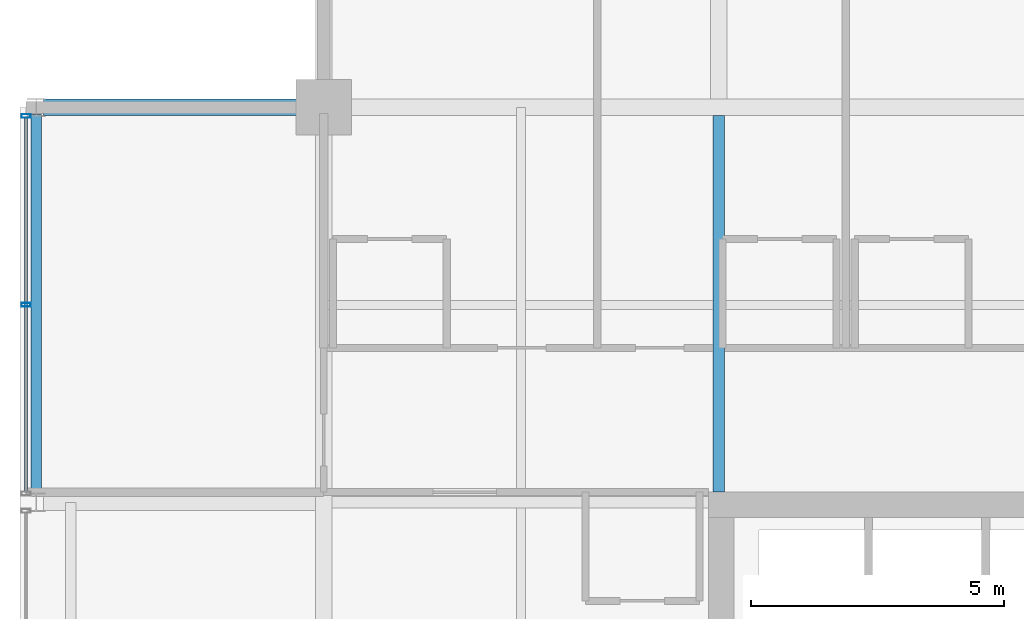
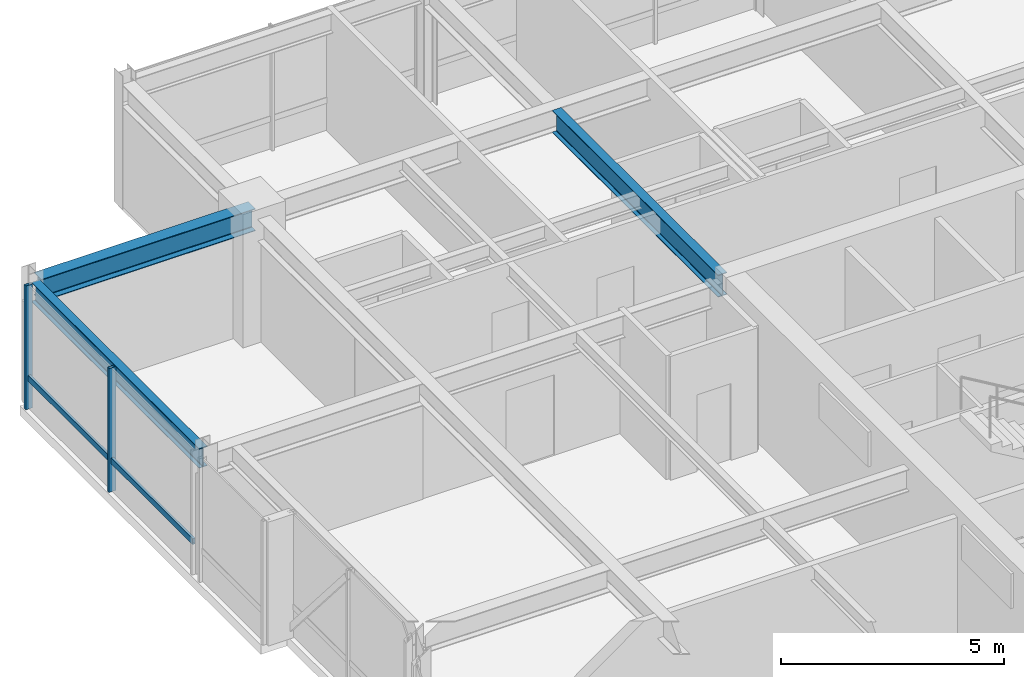
# One storey, part 21 of 34: 3 beams, 3 members, 1 element without a shape of its own.
"""IFC4 building model written with IfcOpenShell, lengths in metres."""

import ifcopenshell
import ifcopenshell.guid

model = None  # the IFC model being written
_history = None  # IfcOwnerHistory: only IFC2X3 demands one
_inside = {}  # id of a spatial element -> (the spatial element, [elements in it])
_under = {}  # id of a project, library or spatial element -> (it, [spatial elements below it])
_declared = {}  # id of a project -> (the project, [libraries it declares])
_typed = {}  # id of a type object -> (the type object, [elements of that type])
_made_of = {}  # id of a material, layer set ... -> (it, [elements and type objects made of it])


def new_model(schema):
    """Start an empty IFC model of exactly this schema.

    Asked for "IFC4X3", IfcOpenShell would pick the latest addendum, in which some entities
    have other attributes; the version numbers below select the first issue.
    IFC2X3 requires an IfcOwnerHistory on every rooted entity: one is made here for all.
    """
    global model, _history
    if schema == "IFC4X3":
        model = ifcopenshell.file(schema_version=(4, 3, 0, 0))
    else:
        model = ifcopenshell.file(schema=schema)
    _inside.clear()
    _under.clear()
    _declared.clear()
    _typed.clear()
    _made_of.clear()
    _history = None
    if model.schema == "IFC2X3":
        org = make("IfcOrganization", Name="unknown")
        user = make(
            "IfcPersonAndOrganization",
            ThePerson=make("IfcPerson", FamilyName="unknown"),
            TheOrganization=org,
        )
        app = make(
            "IfcApplication",
            ApplicationDeveloper=org,
            Version="unknown",
            ApplicationFullName="unknown",
            ApplicationIdentifier="unknown",
        )
        _history = make(
            "IfcOwnerHistory",
            OwningUser=user,
            OwningApplication=app,
            ChangeAction="ADDED",
            CreationDate=0,
        )
    return model


def make(cls, **values):
    """One entity of the class cls with the attributes given. An attribute that is None is left unset."""
    return model.create_entity(
        cls, **{name: value for name, value in values.items() if value is not None}
    )


def rooted(cls, **values):
    """An entity with a GlobalId (a new one), such as an element, a storey or a relation."""
    return make(cls, GlobalId=ifcopenshell.guid.new(), OwnerHistory=_history, **values)


def si_unit(unit_type, name, prefix=None):
    """IfcSIUnit, for example si_unit("LENGTHUNIT", "METRE", prefix="MILLI")."""
    return make("IfcSIUnit", UnitType=unit_type, Prefix=prefix, Name=name)


def assignment(units):
    """IfcUnitAssignment: the units of a project."""
    return None if units is None else make("IfcUnitAssignment", Units=units)


def point(xyz):
    """IfcCartesianPoint."""
    return None if xyz is None else make("IfcCartesianPoint", Coordinates=xyz)


def direction(xyz):
    """IfcDirection."""
    return None if xyz is None else make("IfcDirection", DirectionRatios=xyz)


def frame(location, z_axis=None, x_axis=None):
    """IfcAxis2Placement3D, a coordinate frame: its origin and axes. An axis left out is left unset."""
    return make(
        "IfcAxis2Placement3D",
        Location=point(location),
        Axis=direction(z_axis),
        RefDirection=direction(x_axis),
    )


def frame_2d(location, x_axis=None):
    """IfcAxis2Placement2D, a coordinate frame in the plane: its origin and x axis."""
    return make(
        "IfcAxis2Placement2D", Location=point(location), RefDirection=direction(x_axis)
    )


def origin():
    """The frame at (0, 0, 0) with its axes left unset."""
    return frame((0.0, 0.0, 0.0))


def origin_2d():
    """The frame at (0, 0) in the plane with its x axis left unset."""
    return frame_2d((0.0, 0.0))


def place(relative_to, where):
    """IfcLocalPlacement: puts the frame where relative to a parent placement (None: the world)."""
    return make(
        "IfcLocalPlacement", PlacementRelTo=relative_to, RelativePlacement=where
    )


def context(
    kind, dimensions, precision=None, world=None, true_north=None, identifier=None
):
    """IfcGeometricRepresentationContext, for example the 3D "Model" context."""
    return make(
        "IfcGeometricRepresentationContext",
        ContextIdentifier=identifier,
        ContextType=kind,
        CoordinateSpaceDimension=dimensions,
        Precision=precision,
        WorldCoordinateSystem=world,
        TrueNorth=true_north,
    )


def subcontext(parent, identifier, kind, view, scale=None):
    """IfcGeometricRepresentationSubContext, for example "Body" below "Model"."""
    return make(
        "IfcGeometricRepresentationSubContext",
        ContextIdentifier=identifier,
        ContextType=kind,
        ParentContext=parent,
        TargetScale=scale,
        TargetView=view,
    )


def project(units=None, contexts=None):
    """IfcProject with its units and contexts."""
    return rooted(
        "IfcProject",
        Name="project",
        RepresentationContexts=contexts,
        UnitsInContext=assignment(units),
    )


def spatial(cls, under=None, at=None, **own):
    """A site, building, storey or space (cls), placed at a placement, below another one or the project."""
    s = rooted(cls, ObjectPlacement=at, **own)
    if under is not None:
        _under.setdefault(under.id(), (under, []))[1].append(s)
    return s


def profile(cls, at=None, kind="AREA", **sizes):
    """A parametric profile (cls). Its sizes go by their IFC names, for example OverallWidth=200.0."""
    return make(cls, ProfileType=kind, Position=at, **sizes)


def hollow_rectangle(**sizes):
    """IfcRectangleHollowProfileDef."""
    return profile("IfcRectangleHollowProfileDef", **sizes)


def i_section(**sizes):
    """IfcIShapeProfileDef."""
    return profile("IfcIShapeProfileDef", **sizes)


def extrude(swept, where, along, depth):
    """IfcExtrudedAreaSolid: the profile swept, set in the frame where, extruded along a direction by depth."""
    return make(
        "IfcExtrudedAreaSolid",
        SweptArea=swept,
        Position=where,
        ExtrudedDirection=direction(along),
        Depth=depth,
    )


def shape(context_of_items, identifier, shape_type, items):
    """IfcShapeRepresentation: the items that make up one representation, for example the "Body"."""
    return make(
        "IfcShapeRepresentation",
        ContextOfItems=context_of_items,
        RepresentationIdentifier=identifier,
        RepresentationType=shape_type,
        Items=items,
    )


def material(Name=None, Category=None):
    """IfcMaterial."""
    return make("IfcMaterial", Name=Name, Category=Category)


def layer(
    of_material, thickness, ventilated=None, Name=None, Category=None, Priority=None
):
    """IfcMaterialLayer: one layer of a wall or slab, of a material (None: an air gap)."""
    return make(
        "IfcMaterialLayer",
        Material=of_material,
        LayerThickness=thickness,
        IsVentilated=ventilated,
        Name=Name,
        Category=Category,
        Priority=Priority,
    )


def layer_set(layers, Name=None):
    """IfcMaterialLayerSet."""
    return make("IfcMaterialLayerSet", MaterialLayers=layers, LayerSetName=Name)


def material_profile(
    of_material, cross_section, Name=None, Category=None, Priority=None
):
    """IfcMaterialProfile: a cross section and its material."""
    return make(
        "IfcMaterialProfile",
        Name=Name,
        Material=of_material,
        Profile=cross_section,
        Priority=Priority,
        Category=Category,
    )


def profile_set(profiles, Name=None, composite=None):
    """IfcMaterialProfileSet."""
    return make(
        "IfcMaterialProfileSet",
        Name=Name,
        MaterialProfiles=profiles,
        CompositeProfile=composite,
    )


def made_of(thing, what):
    """Note that an element or type object is made of a material, layer set ...; save() writes the relation."""
    if what is not None:
        _made_of.setdefault(what.id(), (what, []))[1].append(thing)
    return thing


def type_object(cls, material=None, **own):
    """A type object (cls), such as IfcWallType, which elements share."""
    return made_of(rooted(cls, **own), material)


def element(
    cls,
    number,
    at=None,
    inside=None,
    cuts=None,
    type_object=None,
    material=None,
    context=None,
    identifier="Body",
    shape_type=None,
    held_by="IfcProductDefinitionShape",
    body=None,
    shapes=None,
    **own,
):
    """One element of the class cls, such as IfcWall. Its Tag is "e" and its number.

    at: its placement. inside: the storey or other place that contains it. cuts: it is an
    opening in that element (IfcRelVoidsElement). A single representation is given by context,
    identifier, shape_type and body (its items); several are given by shapes. held_by: the class
    of the entity that holds the representations. save() writes the other relations.
    """
    e = rooted(cls, Tag="e%d" % number, ObjectPlacement=at, **own)
    if body is not None:
        shapes = [shape(context, identifier, shape_type, body)]
    if shapes is not None:
        e.Representation = make(held_by, Representations=shapes)
    if inside is not None:
        _inside.setdefault(inside.id(), (inside, []))[1].append(e)
    if cuts is not None:
        rooted(
            "IfcRelVoidsElement", RelatingBuildingElement=cuts, RelatedOpeningElement=e
        )
    if type_object is not None:
        _typed.setdefault(type_object.id(), (type_object, []))[1].append(e)
    return made_of(e, material)


def aggregate(whole, parts):
    """IfcRelAggregates: a whole, such as a stair, and the parts it consists of."""
    return rooted("IfcRelAggregates", RelatingObject=whole, RelatedObjects=parts)


def save(model, path):
    """Write the relations noted so far, then the file.

    IfcRelAggregates (storeys below a building ...), IfcRelContainedInSpatialStructure (elements
    in a storey), IfcRelDefinesByType, IfcRelAssociatesMaterial and IfcRelDeclares: one each for
    every whole, place, type object, material and project.
    """
    for whole, parts in _under.values():
        aggregate(whole, parts)
    for where, things in _inside.values():
        rooted(
            "IfcRelContainedInSpatialStructure",
            RelatedElements=things,
            RelatingStructure=where,
        )
    for kind, things in _typed.values():
        rooted("IfcRelDefinesByType", RelatedObjects=things, RelatingType=kind)
    for what, things in _made_of.values():
        rooted("IfcRelAssociatesMaterial", RelatedObjects=things, RelatingMaterial=what)
    for by, libraries in _declared.values():
        rooted("IfcRelDeclares", RelatingContext=by, RelatedDefinitions=libraries)
    model.write(path)


model = new_model("IFC4")

# Units and contexts
model_context = context("Model", 3, precision=1e-05, world=origin(), true_north=direction((0.0, 1.0)))
body_context = subcontext(model_context, "Body", "Model", "MODEL_VIEW")
ifc_project = project(units=[si_unit("LENGTHUNIT", "METRE"), si_unit("AREAUNIT", "SQUARE_METRE"), si_unit("VOLUMEUNIT", "CUBIC_METRE"), si_unit("PLANEANGLEUNIT", "RADIAN"), si_unit("MASSUNIT", "GRAM", prefix="KILO")], contexts=[model_context])

# Site, building, storey
site_placement = place(None, origin())
site = spatial("IfcSite", under=ifc_project, at=site_placement, CompositionType="ELEMENT")
building_placement = place(site_placement, origin())
building = spatial("IfcBuilding", under=site, at=building_placement, Name="Drelvath Grand Hotel", CompositionType="ELEMENT")
storey_placement = place(building_placement, frame((0.0, 0.0, 272.300048828125)))
storey = spatial("IfcBuildingStorey", under=building, at=storey_placement, Name="L71", CompositionType="ELEMENT", Elevation=272.300048828125)

# Curtain wall, members
ifc_material_1 = material(Name="Platinum-Mist Anodised Aluminium Frame", Category="aluminium")
ifc_layer = layer(ifc_material_1, 0.199951171875)
ifc_layer_set = layer_set([ifc_layer], Name="Platinum-Mist Anodised Aluminium Frame")
curtain_wall_type = type_object("IfcCurtainWallType", Name="Stick Curtain Wall CW-05 Platinum Mist High-Rise", PredefinedType="NOTDEFINED", material=ifc_layer_set)
curtain_wall_placement = place(storey_placement, origin())
curtain_wall = element("IfcCurtainWall", 1, at=curtain_wall_placement, inside=storey, type_object=curtain_wall_type, Name="L71 CW-05 Curtain Wall CW05-L71-WN2", PredefinedType="NOTDEFINED")
ifc_material_profile_1 = material_profile(ifc_material_1, hollow_rectangle(XDim=0.06494140625, YDim=0.159912109375, WallThickness=0.00390625, at=origin_2d()), Name="HSS160X65X4")
ifc_profile_set_1 = profile_set([ifc_material_profile_1], Name="Platinum-Mist Anodised Aluminium Frame")
member_type_1 = type_object("IfcMemberType", Name="Curtain Wall Horizontal Transom CW-05 HSS160X65X4", PredefinedType="USERDEFINED", material=ifc_profile_set_1)
member_1_placement = place(storey_placement, frame((-22.080078125, 35.610107421875, 0.847412109375), z_axis=(0.0, 1.0, 0.0), x_axis=(-1.0, 0.0, 0.0)))
member_1 = element("IfcMember", 2, at=member_1_placement, type_object=member_type_1, Name="CW05-L71-WN2 Sill Transom", ObjectType="TRANSOM", PredefinedType="USERDEFINED", context=body_context, shape_type="SweptSolid", body=[
    extrude(hollow_rectangle(XDim=0.06494140625, YDim=0.159912109375, WallThickness=0.00390625, at=origin_2d()), origin(), (0.0, 0.0, 1.0), 7.3798828125),
])
ifc_material_profile_2 = material_profile(ifc_material_1, hollow_rectangle(XDim=0.074951171875, YDim=0.179931640625, WallThickness=0.0048828125, at=origin_2d()), Name="HSS180X75X5")
ifc_profile_set_2 = profile_set([ifc_material_profile_2], Name="Platinum-Mist Anodised Aluminium Frame")
member_type_2 = type_object("IfcMemberType", Name="Curtain Wall Vertical Mullion CW-05 HSS180X75X5", PredefinedType="MULLION", material=ifc_profile_set_2)
member_2_placement = place(storey_placement, frame((-22.080078125, 39.300048828125, 0.0), z_axis=(0.0, 0.0, 1.0), x_axis=(0.0, 1.0, 0.0)))
member_2 = element("IfcMember", 3, at=member_2_placement, type_object=member_type_2, Name="CW05-L71-WN2 Mullion 2", PredefinedType="MULLION", context=body_context, shape_type="SweptSolid", body=[
    extrude(hollow_rectangle(XDim=0.074951171875, YDim=0.179931640625, WallThickness=0.0048828125, at=origin_2d()), origin(), (0.0, 0.0, 1.0), 3.389892578125),
])
member_3_placement = place(storey_placement, frame((-22.080078125, 43.030029296875, 0.0), z_axis=(0.0, 0.0, 1.0), x_axis=(0.0, 1.0, 0.0)))
member_3 = element("IfcMember", 4, at=member_3_placement, type_object=member_type_2, Name="CW05-L71-WN2 Mullion 3", PredefinedType="MULLION", context=body_context, shape_type="SweptSolid", body=[
    extrude(hollow_rectangle(XDim=0.074951171875, YDim=0.179931640625, WallThickness=0.0048828125, at=origin_2d()), origin(), (0.0, 0.0, 1.0), 3.389892578125),
])
aggregate(curtain_wall, [member_2, member_3, member_1])

# Beams
ifc_material_2 = material(Name="Steel ASTM A992 Gr 50", Category="steel")
ifc_material_profile_3 = material_profile(ifc_material_2, i_section(OverallWidth=0.210205078125, OverallDepth=0.53662109375, WebThickness=0.010986328125, FlangeThickness=0.017333984375, FilletRadius=0.01806640625, at=origin_2d()), Name="W21X68")
ifc_profile_set_3 = profile_set([ifc_material_profile_3], Name="Steel ASTM A992 Gr 50")
beam_type_1 = type_object("IfcBeamType", Name="Perimeter Spandrel Beam W21X68", PredefinedType="SPANDREL", material=ifc_profile_set_3)
beam_1_placement = place(storey_placement, frame((-21.8798828125, 35.5400390625, 3.12158203125), z_axis=(0.0, 1.0, 0.0), x_axis=(-1.0, 0.0, 0.0)))
element("IfcBeam", 5, at=beam_1_placement, inside=storey, type_object=beam_type_1, Name="L71 Spandrel West N", PredefinedType="SPANDREL", context=body_context, shape_type="SweptSolid", body=[
    extrude(i_section(OverallWidth=0.210205078125, OverallDepth=0.53662109375, WebThickness=0.010986328125, FlangeThickness=0.017333984375, FilletRadius=0.01806640625, at=origin_2d()), origin(), (0.0, 0.0, 1.0), 7.52001953125),
])
ifc_material_profile_4 = material_profile(ifc_material_2, i_section(OverallWidth=0.323974609375, OverallDepth=0.611083984375, WebThickness=0.0126953125, FlangeThickness=0.01904296875, FilletRadius=0.02197265625, at=origin_2d()), Name="W24X104")
ifc_profile_set_4 = profile_set([ifc_material_profile_4], Name="Steel ASTM A992 Gr 50")
beam_type_2 = type_object("IfcBeamType", Name="Primary Floor Girder W24X104", PredefinedType="BEAM", material=ifc_profile_set_4)
beam_2_placement = place(storey_placement, frame((-21.739990234375, 43.199951171875, 3.08447265625), z_axis=(1.0, 0.0, 0.0), x_axis=(0.0, 1.0, 0.0)))
element("IfcBeam", 6, at=beam_2_placement, inside=storey, type_object=beam_type_2, Name="L71 West Grid Girder G", PredefinedType="BEAM", context=body_context, shape_type="SweptSolid", body=[
    extrude(i_section(OverallWidth=0.323974609375, OverallDepth=0.611083984375, WebThickness=0.0126953125, FlangeThickness=0.01904296875, FilletRadius=0.02197265625, at=origin_2d()), origin(), (0.0, 0.0, 1.0), 5.5400390625),
])
ifc_material_profile_5 = material_profile(ifc_material_2, i_section(OverallWidth=0.228271484375, OverallDepth=0.607666015625, WebThickness=0.01123046875, FlangeThickness=0.017333984375, FilletRadius=0.02001953125, at=origin_2d()), Name="W24X76")
ifc_profile_set_5 = profile_set([ifc_material_profile_5], Name="Steel ASTM A992 Gr 50")
beam_type_3 = type_object("IfcBeamType", Name="Primary Floor Girder W24X76", PredefinedType="BEAM", material=ifc_profile_set_5)
beam_3_placement = place(storey_placement, frame((-8.39990234375, 35.60009765625, 3.086181640625), z_axis=(0.0, 1.0, 0.0), x_axis=(-1.0, 0.0, 0.0)))
element("IfcBeam", 7, at=beam_3_placement, inside=storey, type_object=beam_type_3, Name="L71 North Core Tie 4", PredefinedType="BEAM", context=body_context, shape_type="SweptSolid", body=[
    extrude(i_section(OverallWidth=0.228271484375, OverallDepth=0.607666015625, WebThickness=0.01123046875, FlangeThickness=0.017333984375, FilletRadius=0.02001953125, at=origin_2d()), origin(), (0.0, 0.0, 1.0), 7.43798828125),
])

save(model, "model.ifc")
